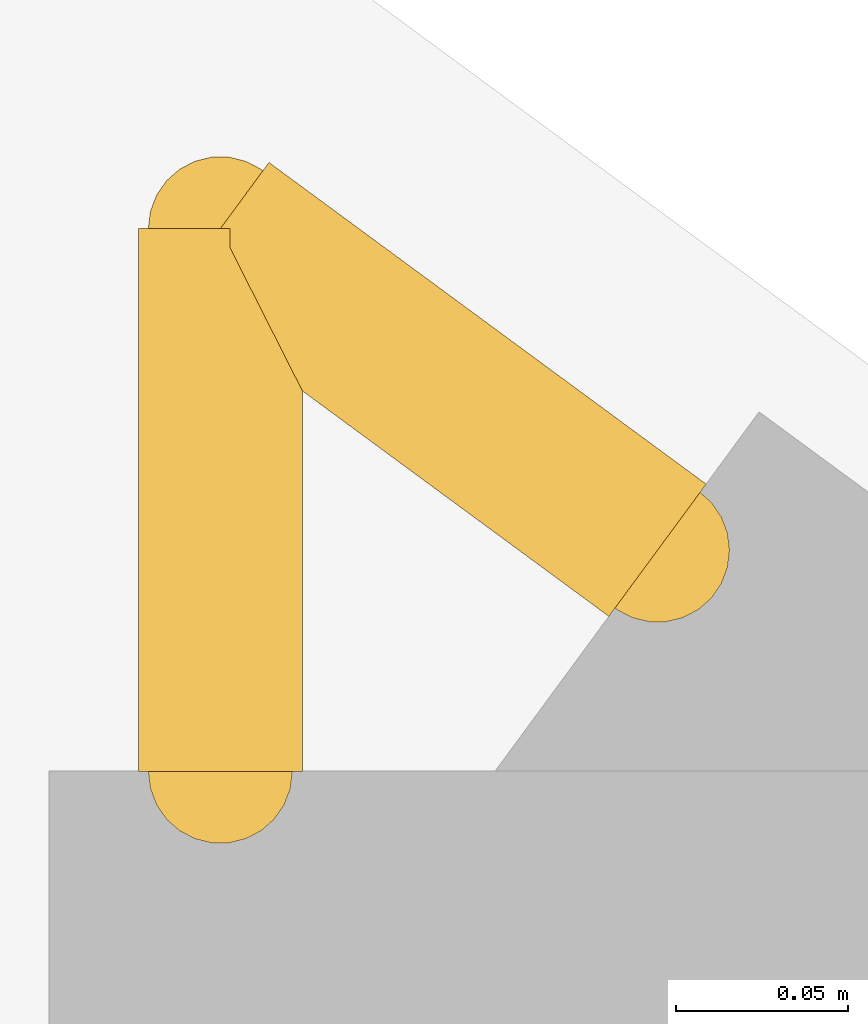
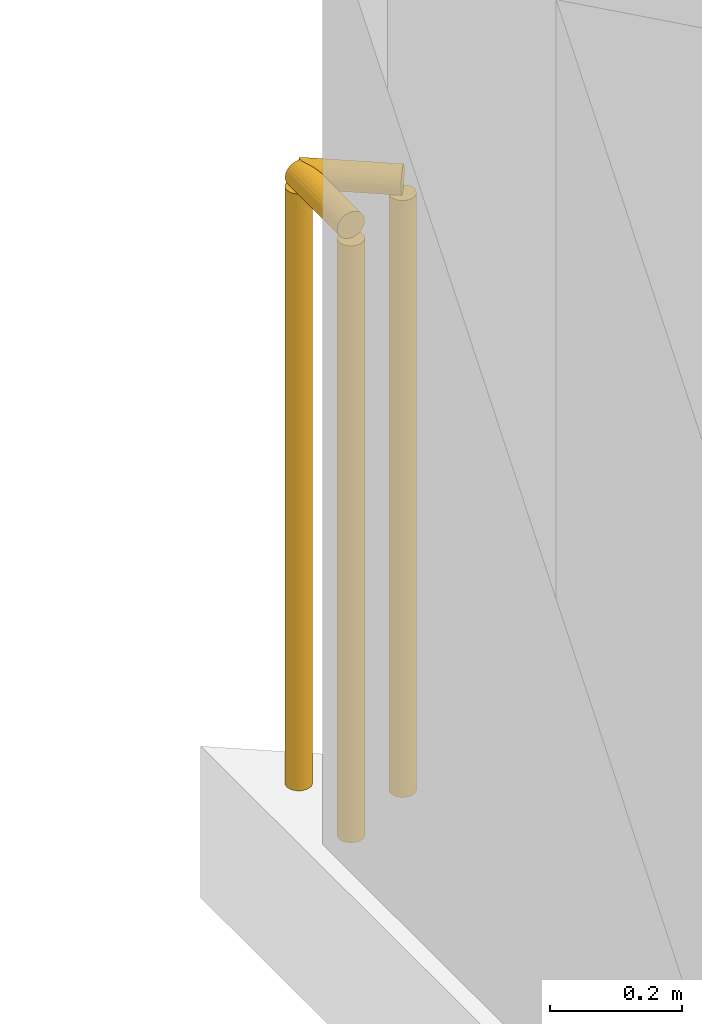
# One storey, part 14 of 14: 2 railings.
"""IFC4 building model written with IfcOpenShell, lengths in metres."""

import ifcopenshell
import ifcopenshell.guid

model = None  # the IFC model being written
_history = None  # IfcOwnerHistory: only IFC2X3 demands one
_inside = {}  # id of a spatial element -> (the spatial element, [elements in it])
_under = {}  # id of a project, library or spatial element -> (it, [spatial elements below it])
_declared = {}  # id of a project -> (the project, [libraries it declares])
_typed = {}  # id of a type object -> (the type object, [elements of that type])
_made_of = {}  # id of a material, layer set ... -> (it, [elements and type objects made of it])


def new_model(schema):
    """Start an empty IFC model of exactly this schema.

    Asked for "IFC4X3", IfcOpenShell would pick the latest addendum, in which some entities
    have other attributes; the version numbers below select the first issue.
    IFC2X3 requires an IfcOwnerHistory on every rooted entity: one is made here for all.
    """
    global model, _history
    if schema == "IFC4X3":
        model = ifcopenshell.file(schema_version=(4, 3, 0, 0))
    else:
        model = ifcopenshell.file(schema=schema)
    _inside.clear()
    _under.clear()
    _declared.clear()
    _typed.clear()
    _made_of.clear()
    _history = None
    if model.schema == "IFC2X3":
        org = make("IfcOrganization", Name="unknown")
        user = make(
            "IfcPersonAndOrganization",
            ThePerson=make("IfcPerson", FamilyName="unknown"),
            TheOrganization=org,
        )
        app = make(
            "IfcApplication",
            ApplicationDeveloper=org,
            Version="unknown",
            ApplicationFullName="unknown",
            ApplicationIdentifier="unknown",
        )
        _history = make(
            "IfcOwnerHistory",
            OwningUser=user,
            OwningApplication=app,
            ChangeAction="ADDED",
            CreationDate=0,
        )
    return model


def make(cls, **values):
    """One entity of the class cls with the attributes given. An attribute that is None is left unset."""
    return model.create_entity(
        cls, **{name: value for name, value in values.items() if value is not None}
    )


def rooted(cls, **values):
    """An entity with a GlobalId (a new one), such as an element, a storey or a relation."""
    return make(cls, GlobalId=ifcopenshell.guid.new(), OwnerHistory=_history, **values)


def si_unit(unit_type, name, prefix=None):
    """IfcSIUnit, for example si_unit("LENGTHUNIT", "METRE", prefix="MILLI")."""
    return make("IfcSIUnit", UnitType=unit_type, Prefix=prefix, Name=name)


def assignment(units):
    """IfcUnitAssignment: the units of a project."""
    return None if units is None else make("IfcUnitAssignment", Units=units)


def point(xyz):
    """IfcCartesianPoint."""
    return None if xyz is None else make("IfcCartesianPoint", Coordinates=xyz)


def direction(xyz):
    """IfcDirection."""
    return None if xyz is None else make("IfcDirection", DirectionRatios=xyz)


def frame(location, z_axis=None, x_axis=None):
    """IfcAxis2Placement3D, a coordinate frame: its origin and axes. An axis left out is left unset."""
    return make(
        "IfcAxis2Placement3D",
        Location=point(location),
        Axis=direction(z_axis),
        RefDirection=direction(x_axis),
    )


def frame_2d(location, x_axis=None):
    """IfcAxis2Placement2D, a coordinate frame in the plane: its origin and x axis."""
    return make(
        "IfcAxis2Placement2D", Location=point(location), RefDirection=direction(x_axis)
    )


def origin():
    """The frame at (0, 0, 0) with its axes left unset."""
    return frame((0.0, 0.0, 0.0))


def origin_2d():
    """The frame at (0, 0) in the plane with its x axis left unset."""
    return frame_2d((0.0, 0.0))


def place(relative_to, where):
    """IfcLocalPlacement: puts the frame where relative to a parent placement (None: the world)."""
    return make(
        "IfcLocalPlacement", PlacementRelTo=relative_to, RelativePlacement=where
    )


def context(
    kind, dimensions, precision=None, world=None, true_north=None, identifier=None
):
    """IfcGeometricRepresentationContext, for example the 3D "Model" context."""
    return make(
        "IfcGeometricRepresentationContext",
        ContextIdentifier=identifier,
        ContextType=kind,
        CoordinateSpaceDimension=dimensions,
        Precision=precision,
        WorldCoordinateSystem=world,
        TrueNorth=true_north,
    )


def subcontext(parent, identifier, kind, view, scale=None):
    """IfcGeometricRepresentationSubContext, for example "Body" below "Model"."""
    return make(
        "IfcGeometricRepresentationSubContext",
        ContextIdentifier=identifier,
        ContextType=kind,
        ParentContext=parent,
        TargetScale=scale,
        TargetView=view,
    )


def project(units=None, contexts=None):
    """IfcProject with its units and contexts."""
    return rooted(
        "IfcProject",
        Name="project",
        RepresentationContexts=contexts,
        UnitsInContext=assignment(units),
    )


def spatial(cls, under=None, at=None, **own):
    """A site, building, storey or space (cls), placed at a placement, below another one or the project."""
    s = rooted(cls, ObjectPlacement=at, **own)
    if under is not None:
        _under.setdefault(under.id(), (under, []))[1].append(s)
    return s


def profile(cls, at=None, kind="AREA", **sizes):
    """A parametric profile (cls). Its sizes go by their IFC names, for example OverallWidth=200.0."""
    return make(cls, ProfileType=kind, Position=at, **sizes)


def circle(**sizes):
    """IfcCircleProfileDef."""
    return profile("IfcCircleProfileDef", **sizes)


def extrude(swept, where, along, depth):
    """IfcExtrudedAreaSolid: the profile swept, set in the frame where, extruded along a direction by depth."""
    return make(
        "IfcExtrudedAreaSolid",
        SweptArea=swept,
        Position=where,
        ExtrudedDirection=direction(along),
        Depth=depth,
    )


def shape(context_of_items, identifier, shape_type, items):
    """IfcShapeRepresentation: the items that make up one representation, for example the "Body"."""
    return make(
        "IfcShapeRepresentation",
        ContextOfItems=context_of_items,
        RepresentationIdentifier=identifier,
        RepresentationType=shape_type,
        Items=items,
    )


def material(Name=None, Category=None):
    """IfcMaterial."""
    return make("IfcMaterial", Name=Name, Category=Category)


def made_of(thing, what):
    """Note that an element or type object is made of a material, layer set ...; save() writes the relation."""
    if what is not None:
        _made_of.setdefault(what.id(), (what, []))[1].append(thing)
    return thing


def type_object(cls, material=None, **own):
    """A type object (cls), such as IfcWallType, which elements share."""
    return made_of(rooted(cls, **own), material)


def element(
    cls,
    number,
    at=None,
    inside=None,
    cuts=None,
    type_object=None,
    material=None,
    context=None,
    identifier="Body",
    shape_type=None,
    held_by="IfcProductDefinitionShape",
    body=None,
    shapes=None,
    **own,
):
    """One element of the class cls, such as IfcWall. Its Tag is "e" and its number.

    at: its placement. inside: the storey or other place that contains it. cuts: it is an
    opening in that element (IfcRelVoidsElement). A single representation is given by context,
    identifier, shape_type and body (its items); several are given by shapes. held_by: the class
    of the entity that holds the representations. save() writes the other relations.
    """
    e = rooted(cls, Tag="e%d" % number, ObjectPlacement=at, **own)
    if body is not None:
        shapes = [shape(context, identifier, shape_type, body)]
    if shapes is not None:
        e.Representation = make(held_by, Representations=shapes)
    if inside is not None:
        _inside.setdefault(inside.id(), (inside, []))[1].append(e)
    if cuts is not None:
        rooted(
            "IfcRelVoidsElement", RelatingBuildingElement=cuts, RelatedOpeningElement=e
        )
    if type_object is not None:
        _typed.setdefault(type_object.id(), (type_object, []))[1].append(e)
    return made_of(e, material)


def aggregate(whole, parts):
    """IfcRelAggregates: a whole, such as a stair, and the parts it consists of."""
    return rooted("IfcRelAggregates", RelatingObject=whole, RelatedObjects=parts)


def save(model, path):
    """Write the relations noted so far, then the file.

    IfcRelAggregates (storeys below a building ...), IfcRelContainedInSpatialStructure (elements
    in a storey), IfcRelDefinesByType, IfcRelAssociatesMaterial and IfcRelDeclares: one each for
    every whole, place, type object, material and project.
    """
    for whole, parts in _under.values():
        aggregate(whole, parts)
    for where, things in _inside.values():
        rooted(
            "IfcRelContainedInSpatialStructure",
            RelatedElements=things,
            RelatingStructure=where,
        )
    for kind, things in _typed.values():
        rooted("IfcRelDefinesByType", RelatedObjects=things, RelatingType=kind)
    for what, things in _made_of.values():
        rooted("IfcRelAssociatesMaterial", RelatedObjects=things, RelatingMaterial=what)
    for by, libraries in _declared.values():
        rooted("IfcRelDeclares", RelatingContext=by, RelatedDefinitions=libraries)
    model.write(path)


model = new_model("IFC4")

# Units and contexts
model_context = context("Model", 3, precision=1e-05, world=origin(), true_north=direction((0.0, 1.0)))
body_context = subcontext(model_context, "Body", "Model", "MODEL_VIEW")
ifc_project = project(units=[si_unit("LENGTHUNIT", "METRE"), si_unit("AREAUNIT", "SQUARE_METRE"), si_unit("VOLUMEUNIT", "CUBIC_METRE"), si_unit("PLANEANGLEUNIT", "RADIAN"), si_unit("MASSUNIT", "GRAM", prefix="KILO")], contexts=[model_context])

# Site, building, storey
site_placement = place(None, origin())
site = spatial("IfcSite", under=ifc_project, at=site_placement, CompositionType="ELEMENT")
building_placement = place(site_placement, origin())
building = spatial("IfcBuilding", under=site, at=building_placement, Name="Varnakote Quay Hospital", CompositionType="ELEMENT")
storey_placement = place(building_placement, frame((0.0, 0.0, 303.949951171875)))
storey = spatial("IfcBuildingStorey", under=building, at=storey_placement, Name="L75", CompositionType="ELEMENT", Elevation=303.949951171875)

# Railings
ifc_material = material(Name="Anodised aluminium 6063-T6 Bronze", Category="aluminium")
railing_type = type_object("IfcRailingType", Name="RLG-EXT-GUARD-1150", PredefinedType="GUARDRAIL", material=ifc_material)
railing_1_placement = place(storey_placement, frame((2.3798828125, 39.8837890625, 0.0)))
element("IfcRailing", 1, at=railing_1_placement, inside=storey, type_object=railing_type, Name="L75 Slab Edge Perimeter Safety Guard", PredefinedType="GUARDRAIL", context=body_context, shape_type="SweptSolid", body=[
    extrude(circle(Radius=0.02392578125, at=origin_2d()), frame((0.0, 0.0, 1.1259765625), z_axis=(0.0, 1.0, 0.0), x_axis=(-1.0, 0.0, 0.0)), (0.0, 0.0, 1.0), 0.158203125),
    extrude(circle(Radius=0.02099609375, at=origin_2d()), origin(), (0.0, 0.0, 1.0), 1.101806640625),
    extrude(circle(Radius=0.02099609375, at=origin_2d()), frame((0.0, 0.158203125, 0.0)), (0.0, 0.0, 1.0), 1.101806640625),
])
railing_2_placement = place(storey_placement, frame((2.3798828125, 40.0419921875, 0.0)))
element("IfcRailing", 2, at=railing_2_placement, inside=storey, type_object=railing_type, Name="L75 Slab Edge Perimeter Safety Guard", PredefinedType="GUARDRAIL", context=body_context, shape_type="SweptSolid", body=[
    extrude(circle(Radius=0.02392578125, at=origin_2d()), frame((0.0, 0.0, 1.1259765625), z_axis=(0.805521026073, -0.592567191594, 0.0), x_axis=(0.592567191594, 0.805521026073, 0.0)), (0.0, 0.0, 1.0), 0.158203125),
    extrude(circle(Radius=0.02099609375, at=origin_2d()), origin(), (0.0, 0.0, 1.0), 1.101806640625),
    extrude(circle(Radius=0.02099609375, at=origin_2d()), frame((0.12744140625, -0.09375, 0.0)), (0.0, 0.0, 1.0), 1.101806640625),
])

save(model, "model.ifc")
